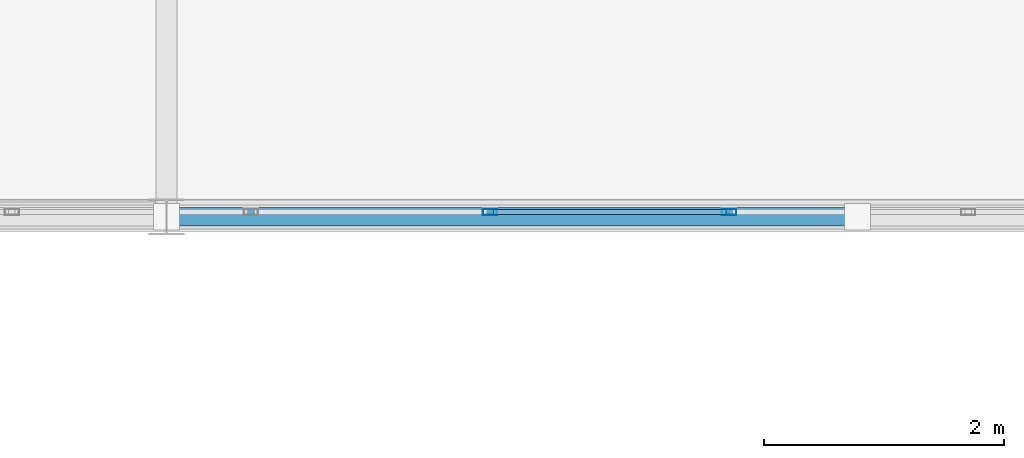
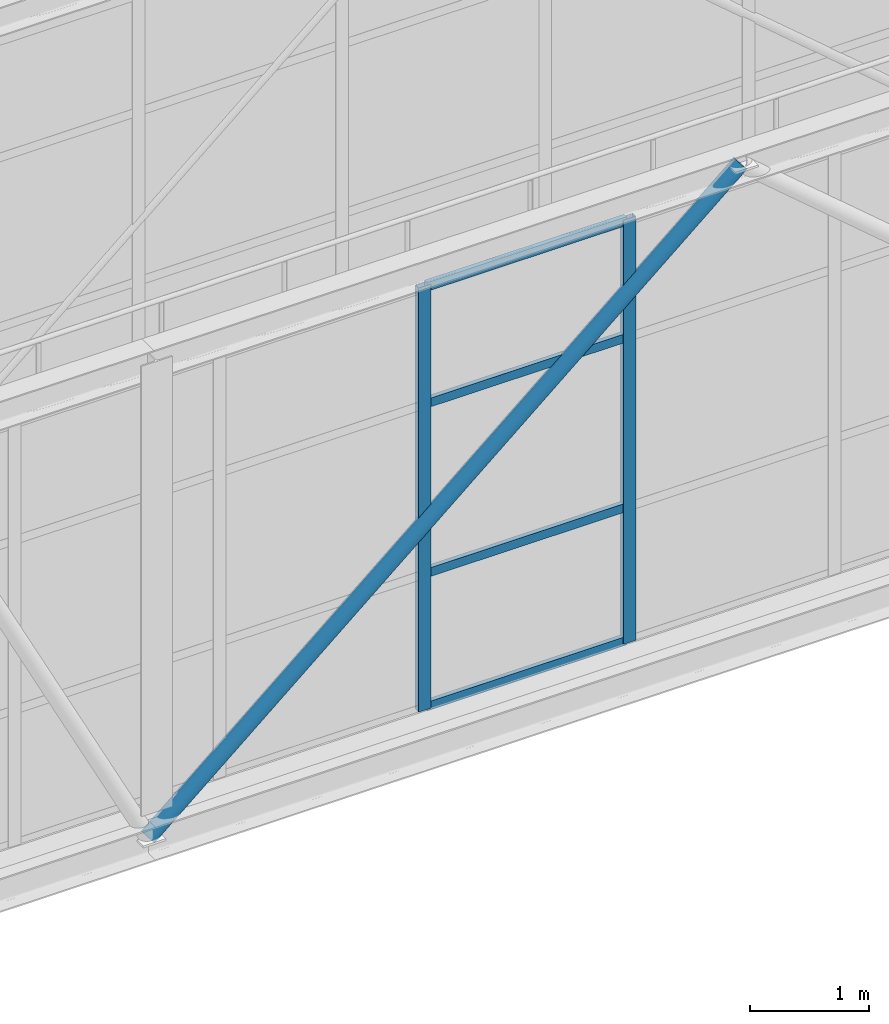
# One storey, part 171 of 248: 7 members, 1 element without a shape of its own.
"""IFC4 building model written with IfcOpenShell, lengths in metres."""

import ifcopenshell
import ifcopenshell.guid

model = None  # the IFC model being written
_history = None  # IfcOwnerHistory: only IFC2X3 demands one
_inside = {}  # id of a spatial element -> (the spatial element, [elements in it])
_under = {}  # id of a project, library or spatial element -> (it, [spatial elements below it])
_declared = {}  # id of a project -> (the project, [libraries it declares])
_typed = {}  # id of a type object -> (the type object, [elements of that type])
_made_of = {}  # id of a material, layer set ... -> (it, [elements and type objects made of it])


def new_model(schema):
    """Start an empty IFC model of exactly this schema.

    Asked for "IFC4X3", IfcOpenShell would pick the latest addendum, in which some entities
    have other attributes; the version numbers below select the first issue.
    IFC2X3 requires an IfcOwnerHistory on every rooted entity: one is made here for all.
    """
    global model, _history
    if schema == "IFC4X3":
        model = ifcopenshell.file(schema_version=(4, 3, 0, 0))
    else:
        model = ifcopenshell.file(schema=schema)
    _inside.clear()
    _under.clear()
    _declared.clear()
    _typed.clear()
    _made_of.clear()
    _history = None
    if model.schema == "IFC2X3":
        org = make("IfcOrganization", Name="unknown")
        user = make(
            "IfcPersonAndOrganization",
            ThePerson=make("IfcPerson", FamilyName="unknown"),
            TheOrganization=org,
        )
        app = make(
            "IfcApplication",
            ApplicationDeveloper=org,
            Version="unknown",
            ApplicationFullName="unknown",
            ApplicationIdentifier="unknown",
        )
        _history = make(
            "IfcOwnerHistory",
            OwningUser=user,
            OwningApplication=app,
            ChangeAction="ADDED",
            CreationDate=0,
        )
    return model


def make(cls, **values):
    """One entity of the class cls with the attributes given. An attribute that is None is left unset."""
    return model.create_entity(
        cls, **{name: value for name, value in values.items() if value is not None}
    )


def rooted(cls, **values):
    """An entity with a GlobalId (a new one), such as an element, a storey or a relation."""
    return make(cls, GlobalId=ifcopenshell.guid.new(), OwnerHistory=_history, **values)


def si_unit(unit_type, name, prefix=None):
    """IfcSIUnit, for example si_unit("LENGTHUNIT", "METRE", prefix="MILLI")."""
    return make("IfcSIUnit", UnitType=unit_type, Prefix=prefix, Name=name)


def assignment(units):
    """IfcUnitAssignment: the units of a project."""
    return None if units is None else make("IfcUnitAssignment", Units=units)


def point(xyz):
    """IfcCartesianPoint."""
    return None if xyz is None else make("IfcCartesianPoint", Coordinates=xyz)


def direction(xyz):
    """IfcDirection."""
    return None if xyz is None else make("IfcDirection", DirectionRatios=xyz)


def frame(location, z_axis=None, x_axis=None):
    """IfcAxis2Placement3D, a coordinate frame: its origin and axes. An axis left out is left unset."""
    return make(
        "IfcAxis2Placement3D",
        Location=point(location),
        Axis=direction(z_axis),
        RefDirection=direction(x_axis),
    )


def frame_2d(location, x_axis=None):
    """IfcAxis2Placement2D, a coordinate frame in the plane: its origin and x axis."""
    return make(
        "IfcAxis2Placement2D", Location=point(location), RefDirection=direction(x_axis)
    )


def origin():
    """The frame at (0, 0, 0) with its axes left unset."""
    return frame((0.0, 0.0, 0.0))


def origin_2d():
    """The frame at (0, 0) in the plane with its x axis left unset."""
    return frame_2d((0.0, 0.0))


def place(relative_to, where):
    """IfcLocalPlacement: puts the frame where relative to a parent placement (None: the world)."""
    return make(
        "IfcLocalPlacement", PlacementRelTo=relative_to, RelativePlacement=where
    )


def context(
    kind, dimensions, precision=None, world=None, true_north=None, identifier=None
):
    """IfcGeometricRepresentationContext, for example the 3D "Model" context."""
    return make(
        "IfcGeometricRepresentationContext",
        ContextIdentifier=identifier,
        ContextType=kind,
        CoordinateSpaceDimension=dimensions,
        Precision=precision,
        WorldCoordinateSystem=world,
        TrueNorth=true_north,
    )


def subcontext(parent, identifier, kind, view, scale=None):
    """IfcGeometricRepresentationSubContext, for example "Body" below "Model"."""
    return make(
        "IfcGeometricRepresentationSubContext",
        ContextIdentifier=identifier,
        ContextType=kind,
        ParentContext=parent,
        TargetScale=scale,
        TargetView=view,
    )


def project(units=None, contexts=None):
    """IfcProject with its units and contexts."""
    return rooted(
        "IfcProject",
        Name="project",
        RepresentationContexts=contexts,
        UnitsInContext=assignment(units),
    )


def spatial(cls, under=None, at=None, **own):
    """A site, building, storey or space (cls), placed at a placement, below another one or the project."""
    s = rooted(cls, ObjectPlacement=at, **own)
    if under is not None:
        _under.setdefault(under.id(), (under, []))[1].append(s)
    return s


def profile(cls, at=None, kind="AREA", **sizes):
    """A parametric profile (cls). Its sizes go by their IFC names, for example OverallWidth=200.0."""
    return make(cls, ProfileType=kind, Position=at, **sizes)


def hollow_rectangle(**sizes):
    """IfcRectangleHollowProfileDef."""
    return profile("IfcRectangleHollowProfileDef", **sizes)


def hollow_circle(**sizes):
    """IfcCircleHollowProfileDef."""
    return profile("IfcCircleHollowProfileDef", **sizes)


def extrude(swept, where, along, depth):
    """IfcExtrudedAreaSolid: the profile swept, set in the frame where, extruded along a direction by depth."""
    return make(
        "IfcExtrudedAreaSolid",
        SweptArea=swept,
        Position=where,
        ExtrudedDirection=direction(along),
        Depth=depth,
    )


def shape(context_of_items, identifier, shape_type, items):
    """IfcShapeRepresentation: the items that make up one representation, for example the "Body"."""
    return make(
        "IfcShapeRepresentation",
        ContextOfItems=context_of_items,
        RepresentationIdentifier=identifier,
        RepresentationType=shape_type,
        Items=items,
    )


def material(Name=None, Category=None):
    """IfcMaterial."""
    return make("IfcMaterial", Name=Name, Category=Category)


def layer(
    of_material, thickness, ventilated=None, Name=None, Category=None, Priority=None
):
    """IfcMaterialLayer: one layer of a wall or slab, of a material (None: an air gap)."""
    return make(
        "IfcMaterialLayer",
        Material=of_material,
        LayerThickness=thickness,
        IsVentilated=ventilated,
        Name=Name,
        Category=Category,
        Priority=Priority,
    )


def layer_set(layers, Name=None):
    """IfcMaterialLayerSet."""
    return make("IfcMaterialLayerSet", MaterialLayers=layers, LayerSetName=Name)


def material_profile(
    of_material, cross_section, Name=None, Category=None, Priority=None
):
    """IfcMaterialProfile: a cross section and its material."""
    return make(
        "IfcMaterialProfile",
        Name=Name,
        Material=of_material,
        Profile=cross_section,
        Priority=Priority,
        Category=Category,
    )


def profile_set(profiles, Name=None, composite=None):
    """IfcMaterialProfileSet."""
    return make(
        "IfcMaterialProfileSet",
        Name=Name,
        MaterialProfiles=profiles,
        CompositeProfile=composite,
    )


def made_of(thing, what):
    """Note that an element or type object is made of a material, layer set ...; save() writes the relation."""
    if what is not None:
        _made_of.setdefault(what.id(), (what, []))[1].append(thing)
    return thing


def type_object(cls, material=None, **own):
    """A type object (cls), such as IfcWallType, which elements share."""
    return made_of(rooted(cls, **own), material)


def element(
    cls,
    number,
    at=None,
    inside=None,
    cuts=None,
    type_object=None,
    material=None,
    context=None,
    identifier="Body",
    shape_type=None,
    held_by="IfcProductDefinitionShape",
    body=None,
    shapes=None,
    **own,
):
    """One element of the class cls, such as IfcWall. Its Tag is "e" and its number.

    at: its placement. inside: the storey or other place that contains it. cuts: it is an
    opening in that element (IfcRelVoidsElement). A single representation is given by context,
    identifier, shape_type and body (its items); several are given by shapes. held_by: the class
    of the entity that holds the representations. save() writes the other relations.
    """
    e = rooted(cls, Tag="e%d" % number, ObjectPlacement=at, **own)
    if body is not None:
        shapes = [shape(context, identifier, shape_type, body)]
    if shapes is not None:
        e.Representation = make(held_by, Representations=shapes)
    if inside is not None:
        _inside.setdefault(inside.id(), (inside, []))[1].append(e)
    if cuts is not None:
        rooted(
            "IfcRelVoidsElement", RelatingBuildingElement=cuts, RelatedOpeningElement=e
        )
    if type_object is not None:
        _typed.setdefault(type_object.id(), (type_object, []))[1].append(e)
    return made_of(e, material)


def aggregate(whole, parts):
    """IfcRelAggregates: a whole, such as a stair, and the parts it consists of."""
    return rooted("IfcRelAggregates", RelatingObject=whole, RelatedObjects=parts)


def save(model, path):
    """Write the relations noted so far, then the file.

    IfcRelAggregates (storeys below a building ...), IfcRelContainedInSpatialStructure (elements
    in a storey), IfcRelDefinesByType, IfcRelAssociatesMaterial and IfcRelDeclares: one each for
    every whole, place, type object, material and project.
    """
    for whole, parts in _under.values():
        aggregate(whole, parts)
    for where, things in _inside.values():
        rooted(
            "IfcRelContainedInSpatialStructure",
            RelatedElements=things,
            RelatingStructure=where,
        )
    for kind, things in _typed.values():
        rooted("IfcRelDefinesByType", RelatedObjects=things, RelatingType=kind)
    for what, things in _made_of.values():
        rooted("IfcRelAssociatesMaterial", RelatedObjects=things, RelatingMaterial=what)
    for by, libraries in _declared.values():
        rooted("IfcRelDeclares", RelatingContext=by, RelatedDefinitions=libraries)
    model.write(path)


model = new_model("IFC4")

# Units and contexts
model_context = context("Model", 3, precision=1e-05, world=origin(), true_north=direction((0.0, 1.0)))
body_context = subcontext(model_context, "Body", "Model", "MODEL_VIEW")
ifc_project = project(units=[si_unit("LENGTHUNIT", "METRE"), si_unit("AREAUNIT", "SQUARE_METRE"), si_unit("VOLUMEUNIT", "CUBIC_METRE"), si_unit("PLANEANGLEUNIT", "RADIAN"), si_unit("MASSUNIT", "GRAM", prefix="KILO")], contexts=[model_context])

# Site, building, storey
site_placement = place(None, origin())
site = spatial("IfcSite", under=ifc_project, at=site_placement, CompositionType="ELEMENT")
building_placement = place(site_placement, origin())
building = spatial("IfcBuilding", under=site, at=building_placement, Name="Canggui Botanical Conservatory", CompositionType="ELEMENT")
storey_placement = place(building_placement, frame((0.0, 0.0, 5.39990234375)))
storey = spatial("IfcBuildingStorey", under=building, at=storey_placement, Name="L02", CompositionType="ELEMENT", Elevation=5.39990234375)

# Curtain wall, members
ifc_material_1 = material(Name="Thermally Broken Aluminium", Category="aluminium")
ifc_layer = layer(ifc_material_1, 0.1201171875, Name="Thermally Broken Aluminium", Category="aluminium")
ifc_layer_set = layer_set([ifc_layer], Name="Thermally Broken Aluminium")
curtain_wall_type = type_object("IfcCurtainWallType", Name="CW-STICK-B", PredefinedType="USERDEFINED", material=ifc_layer_set)
curtain_wall_placement = place(storey_placement, origin())
curtain_wall = element("IfcCurtainWall", 1, at=curtain_wall_placement, inside=storey, type_object=curtain_wall_type, Name="Facade Curtain Wall CW-SB-04-1", ObjectType="STICK GLAZED WALL", PredefinedType="USERDEFINED")
ifc_material_profile_1 = material_profile(ifc_material_1, hollow_rectangle(XDim=0.054931640625, YDim=0.1201171875, WallThickness=0.0029296875, at=origin_2d()), Name="CWM 55x120x3")
ifc_profile_set_1 = profile_set([ifc_material_profile_1], Name="Thermally Broken Aluminium")
member_type_1 = type_object("IfcMemberType", Name="CWM-05", PredefinedType="MULLION", material=ifc_profile_set_1)
member_1_placement = place(storey_placement, frame((121.192626953125, 75.0400390625, 0.0), z_axis=(0.0, 0.0, 1.0), x_axis=(0.0, 1.0, 0.0)))
member_1 = element("IfcMember", 2, at=member_1_placement, type_object=member_type_1, Name="CW-05 mullion 28", PredefinedType="MULLION", context=body_context, shape_type="SweptSolid", body=[
    extrude(hollow_rectangle(XDim=0.054931640625, YDim=0.1201171875, WallThickness=0.0029296875, at=origin_2d()), origin(), (0.0, 0.0, 1.0), 4.35009765625),
])
member_2_placement = place(storey_placement, frame((123.181884765625, 75.0400390625, 0.0), z_axis=(0.0, 0.0, 1.0), x_axis=(0.0, 1.0, 0.0)))
member_2 = element("IfcMember", 3, at=member_2_placement, type_object=member_type_1, Name="CW-05 mullion 29", PredefinedType="MULLION", context=body_context, shape_type="SweptSolid", body=[
    extrude(hollow_rectangle(XDim=0.054931640625, YDim=0.1201171875, WallThickness=0.0029296875, at=origin_2d()), origin(), (0.0, 0.0, 1.0), 4.35009765625),
])
ifc_material_profile_2 = material_profile(ifc_material_1, hollow_rectangle(XDim=0.044921875, YDim=0.090087890625, WallThickness=0.0029296875, at=origin_2d()), Name="CWT 45x90x3")
ifc_profile_set_2 = profile_set([ifc_material_profile_2], Name="Thermally Broken Aluminium")
member_type_2 = type_object("IfcMemberType", Name="CWT-05", PredefinedType="USERDEFINED", material=ifc_profile_set_2)
member_3_placement = place(storey_placement, frame((121.219970703125, 75.0400390625, 0.022705078125), z_axis=(1.0, 0.0, 0.0), x_axis=(0.0, 1.0, 0.0)))
member_3 = element("IfcMember", 4, at=member_3_placement, type_object=member_type_2, Name="CW-05 transom 28.1", ObjectType="TRANSOM", PredefinedType="USERDEFINED", context=body_context, shape_type="SweptSolid", body=[
    extrude(hollow_rectangle(XDim=0.044921875, YDim=0.090087890625, WallThickness=0.0029296875, at=origin_2d()), origin(), (0.0, 0.0, 1.0), 1.9345703125),
])
member_4_placement = place(storey_placement, frame((121.219970703125, 75.0400390625, 1.39208984375), z_axis=(1.0, 0.0, 0.0), x_axis=(0.0, 1.0, 0.0)))
member_4 = element("IfcMember", 5, at=member_4_placement, type_object=member_type_2, Name="CW-05 transom 28.2", ObjectType="TRANSOM", PredefinedType="USERDEFINED", context=body_context, shape_type="SweptSolid", body=[
    extrude(hollow_rectangle(XDim=0.044921875, YDim=0.090087890625, WallThickness=0.0029296875, at=origin_2d()), origin(), (0.0, 0.0, 1.0), 1.9345703125),
])
member_5_placement = place(storey_placement, frame((121.219970703125, 75.0400390625, 3.132080078125), z_axis=(1.0, 0.0, 0.0), x_axis=(0.0, 1.0, 0.0)))
member_5 = element("IfcMember", 6, at=member_5_placement, type_object=member_type_2, Name="CW-05 transom 28.3", ObjectType="TRANSOM", PredefinedType="USERDEFINED", context=body_context, shape_type="SweptSolid", body=[
    extrude(hollow_rectangle(XDim=0.044921875, YDim=0.090087890625, WallThickness=0.0029296875, at=origin_2d()), origin(), (0.0, 0.0, 1.0), 1.9345703125),
])
member_6_placement = place(storey_placement, frame((121.219970703125, 75.0400390625, 4.32763671875), z_axis=(1.0, 0.0, 0.0), x_axis=(0.0, 1.0, 0.0)))
member_6 = element("IfcMember", 7, at=member_6_placement, type_object=member_type_2, Name="CW-05 transom 28.4", ObjectType="TRANSOM", PredefinedType="USERDEFINED", context=body_context, shape_type="SweptSolid", body=[
    extrude(hollow_rectangle(XDim=0.044921875, YDim=0.090087890625, WallThickness=0.0029296875, at=origin_2d()), origin(), (0.0, 0.0, 1.0), 1.9345703125),
])
aggregate(curtain_wall, [member_1, member_2, member_3, member_4, member_5, member_6])

# Member
ifc_material_2 = material(Name="Steel Q355C", Category="steel")
ifc_material_profile_3 = material_profile(ifc_material_2, hollow_circle(Radius=0.075927734375, WallThickness=0.006103515625, at=origin_2d()), Name="CHS 152x6")
ifc_profile_set_3 = profile_set([ifc_material_profile_3], Name="Steel Q355C")
member_type_3 = type_object("IfcMemberType", Name="MEM-GSD04", PredefinedType="RAFTER", material=ifc_profile_set_3)
member_7_placement = place(storey_placement, frame((118.5, 75.0, -0.349853515625), z_axis=(0.761128593641, 0.0, 0.648601005196), x_axis=(0.0, 1.0, 0.0)))
element("IfcMember", 8, at=member_7_placement, inside=storey, type_object=member_type_3, Name="SB-04 Truss Web Rafter 1.9A", PredefinedType="RAFTER", context=body_context, shape_type="SweptSolid", body=[
    extrude(hollow_circle(Radius=0.075927734375, WallThickness=0.006103515625, at=origin_2d()), origin(), (0.0, 0.0, 1.0), 7.5546875),
])

save(model, "model.ifc")
